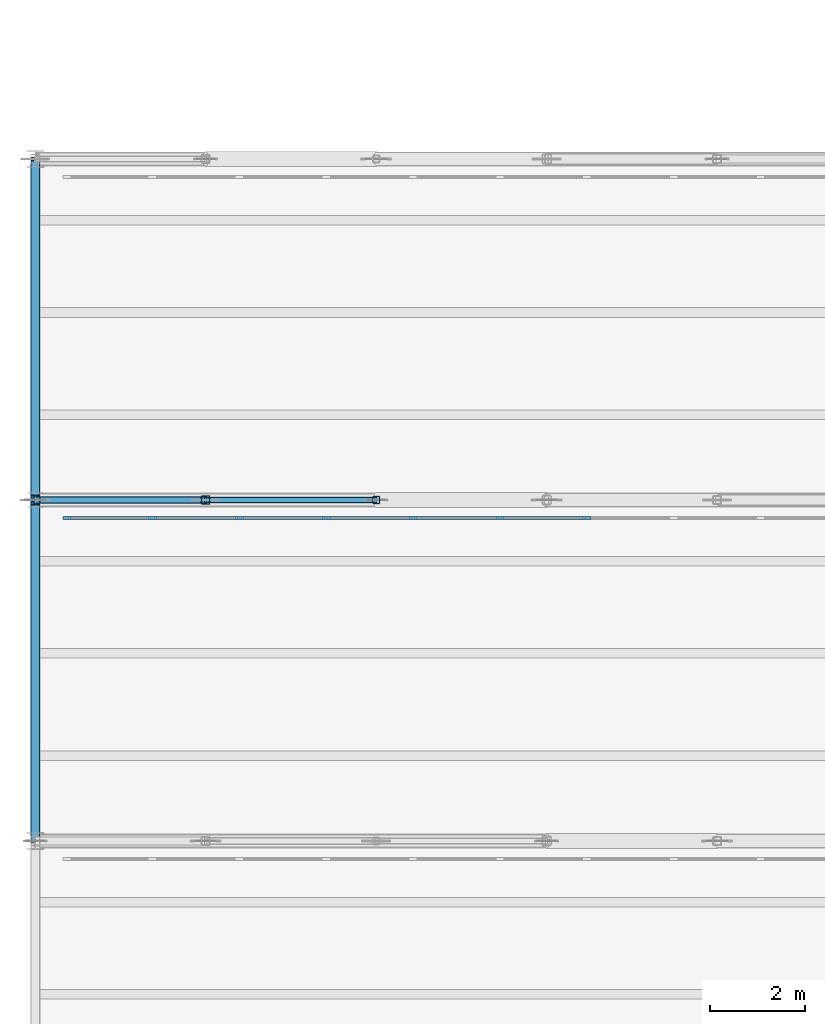
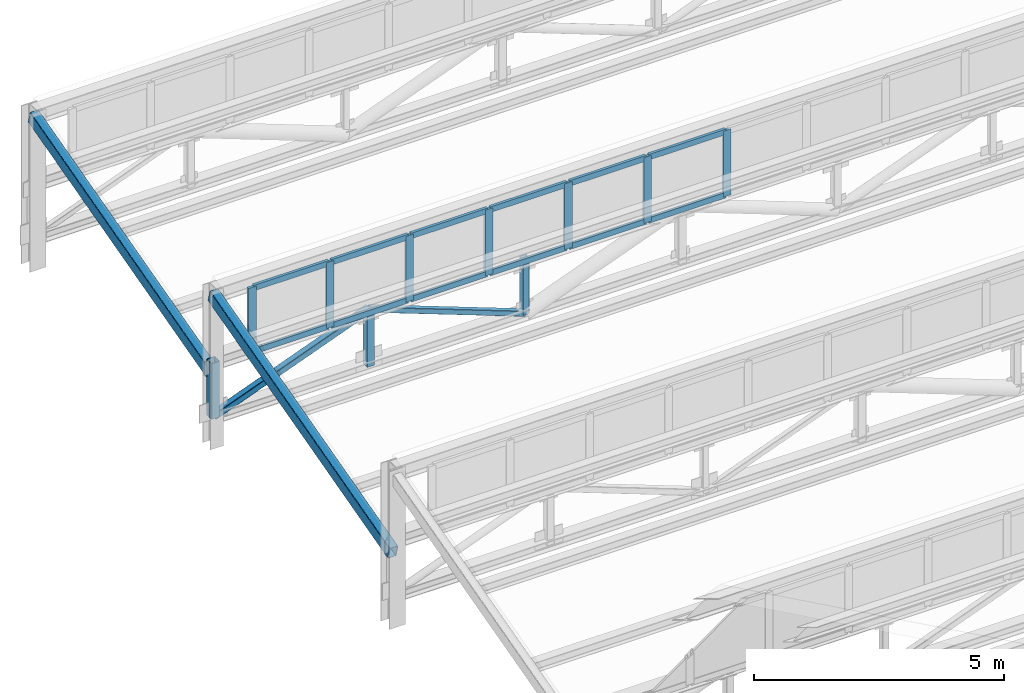
# One storey, part 28 of 98: 24 members, 2 beams, 1 element without a shape of its own.
"""IFC4 building model written with IfcOpenShell, lengths in metres."""

import ifcopenshell
import ifcopenshell.guid

model = None  # the IFC model being written
_history = None  # IfcOwnerHistory: only IFC2X3 demands one
_inside = {}  # id of a spatial element -> (the spatial element, [elements in it])
_under = {}  # id of a project, library or spatial element -> (it, [spatial elements below it])
_declared = {}  # id of a project -> (the project, [libraries it declares])
_typed = {}  # id of a type object -> (the type object, [elements of that type])
_made_of = {}  # id of a material, layer set ... -> (it, [elements and type objects made of it])


def new_model(schema):
    """Start an empty IFC model of exactly this schema.

    Asked for "IFC4X3", IfcOpenShell would pick the latest addendum, in which some entities
    have other attributes; the version numbers below select the first issue.
    IFC2X3 requires an IfcOwnerHistory on every rooted entity: one is made here for all.
    """
    global model, _history
    if schema == "IFC4X3":
        model = ifcopenshell.file(schema_version=(4, 3, 0, 0))
    else:
        model = ifcopenshell.file(schema=schema)
    _inside.clear()
    _under.clear()
    _declared.clear()
    _typed.clear()
    _made_of.clear()
    _history = None
    if model.schema == "IFC2X3":
        org = make("IfcOrganization", Name="unknown")
        user = make(
            "IfcPersonAndOrganization",
            ThePerson=make("IfcPerson", FamilyName="unknown"),
            TheOrganization=org,
        )
        app = make(
            "IfcApplication",
            ApplicationDeveloper=org,
            Version="unknown",
            ApplicationFullName="unknown",
            ApplicationIdentifier="unknown",
        )
        _history = make(
            "IfcOwnerHistory",
            OwningUser=user,
            OwningApplication=app,
            ChangeAction="ADDED",
            CreationDate=0,
        )
    return model


def make(cls, **values):
    """One entity of the class cls with the attributes given. An attribute that is None is left unset."""
    return model.create_entity(
        cls, **{name: value for name, value in values.items() if value is not None}
    )


def rooted(cls, **values):
    """An entity with a GlobalId (a new one), such as an element, a storey or a relation."""
    return make(cls, GlobalId=ifcopenshell.guid.new(), OwnerHistory=_history, **values)


def si_unit(unit_type, name, prefix=None):
    """IfcSIUnit, for example si_unit("LENGTHUNIT", "METRE", prefix="MILLI")."""
    return make("IfcSIUnit", UnitType=unit_type, Prefix=prefix, Name=name)


def assignment(units):
    """IfcUnitAssignment: the units of a project."""
    return None if units is None else make("IfcUnitAssignment", Units=units)


def point(xyz):
    """IfcCartesianPoint."""
    return None if xyz is None else make("IfcCartesianPoint", Coordinates=xyz)


def direction(xyz):
    """IfcDirection."""
    return None if xyz is None else make("IfcDirection", DirectionRatios=xyz)


def frame(location, z_axis=None, x_axis=None):
    """IfcAxis2Placement3D, a coordinate frame: its origin and axes. An axis left out is left unset."""
    return make(
        "IfcAxis2Placement3D",
        Location=point(location),
        Axis=direction(z_axis),
        RefDirection=direction(x_axis),
    )


def frame_2d(location, x_axis=None):
    """IfcAxis2Placement2D, a coordinate frame in the plane: its origin and x axis."""
    return make(
        "IfcAxis2Placement2D", Location=point(location), RefDirection=direction(x_axis)
    )


def origin():
    """The frame at (0, 0, 0) with its axes left unset."""
    return frame((0.0, 0.0, 0.0))


def origin_2d():
    """The frame at (0, 0) in the plane with its x axis left unset."""
    return frame_2d((0.0, 0.0))


def place(relative_to, where):
    """IfcLocalPlacement: puts the frame where relative to a parent placement (None: the world)."""
    return make(
        "IfcLocalPlacement", PlacementRelTo=relative_to, RelativePlacement=where
    )


def context(
    kind, dimensions, precision=None, world=None, true_north=None, identifier=None
):
    """IfcGeometricRepresentationContext, for example the 3D "Model" context."""
    return make(
        "IfcGeometricRepresentationContext",
        ContextIdentifier=identifier,
        ContextType=kind,
        CoordinateSpaceDimension=dimensions,
        Precision=precision,
        WorldCoordinateSystem=world,
        TrueNorth=true_north,
    )


def subcontext(parent, identifier, kind, view, scale=None):
    """IfcGeometricRepresentationSubContext, for example "Body" below "Model"."""
    return make(
        "IfcGeometricRepresentationSubContext",
        ContextIdentifier=identifier,
        ContextType=kind,
        ParentContext=parent,
        TargetScale=scale,
        TargetView=view,
    )


def project(units=None, contexts=None):
    """IfcProject with its units and contexts."""
    return rooted(
        "IfcProject",
        Name="project",
        RepresentationContexts=contexts,
        UnitsInContext=assignment(units),
    )


def spatial(cls, under=None, at=None, **own):
    """A site, building, storey or space (cls), placed at a placement, below another one or the project."""
    s = rooted(cls, ObjectPlacement=at, **own)
    if under is not None:
        _under.setdefault(under.id(), (under, []))[1].append(s)
    return s


def profile(cls, at=None, kind="AREA", **sizes):
    """A parametric profile (cls). Its sizes go by their IFC names, for example OverallWidth=200.0."""
    return make(cls, ProfileType=kind, Position=at, **sizes)


def rectangle(**sizes):
    """IfcRectangleProfileDef."""
    return profile("IfcRectangleProfileDef", **sizes)


def hollow_rectangle(**sizes):
    """IfcRectangleHollowProfileDef."""
    return profile("IfcRectangleHollowProfileDef", **sizes)


def extrude(swept, where, along, depth):
    """IfcExtrudedAreaSolid: the profile swept, set in the frame where, extruded along a direction by depth."""
    return make(
        "IfcExtrudedAreaSolid",
        SweptArea=swept,
        Position=where,
        ExtrudedDirection=direction(along),
        Depth=depth,
    )


def shape(context_of_items, identifier, shape_type, items):
    """IfcShapeRepresentation: the items that make up one representation, for example the "Body"."""
    return make(
        "IfcShapeRepresentation",
        ContextOfItems=context_of_items,
        RepresentationIdentifier=identifier,
        RepresentationType=shape_type,
        Items=items,
    )


def material(Name=None, Category=None):
    """IfcMaterial."""
    return make("IfcMaterial", Name=Name, Category=Category)


def layer(
    of_material, thickness, ventilated=None, Name=None, Category=None, Priority=None
):
    """IfcMaterialLayer: one layer of a wall or slab, of a material (None: an air gap)."""
    return make(
        "IfcMaterialLayer",
        Material=of_material,
        LayerThickness=thickness,
        IsVentilated=ventilated,
        Name=Name,
        Category=Category,
        Priority=Priority,
    )


def layer_set(layers, Name=None):
    """IfcMaterialLayerSet."""
    return make("IfcMaterialLayerSet", MaterialLayers=layers, LayerSetName=Name)


def material_profile(
    of_material, cross_section, Name=None, Category=None, Priority=None
):
    """IfcMaterialProfile: a cross section and its material."""
    return make(
        "IfcMaterialProfile",
        Name=Name,
        Material=of_material,
        Profile=cross_section,
        Priority=Priority,
        Category=Category,
    )


def profile_set(profiles, Name=None, composite=None):
    """IfcMaterialProfileSet."""
    return make(
        "IfcMaterialProfileSet",
        Name=Name,
        MaterialProfiles=profiles,
        CompositeProfile=composite,
    )


def made_of(thing, what):
    """Note that an element or type object is made of a material, layer set ...; save() writes the relation."""
    if what is not None:
        _made_of.setdefault(what.id(), (what, []))[1].append(thing)
    return thing


def type_object(cls, material=None, **own):
    """A type object (cls), such as IfcWallType, which elements share."""
    return made_of(rooted(cls, **own), material)


def element(
    cls,
    number,
    at=None,
    inside=None,
    cuts=None,
    type_object=None,
    material=None,
    context=None,
    identifier="Body",
    shape_type=None,
    held_by="IfcProductDefinitionShape",
    body=None,
    shapes=None,
    **own,
):
    """One element of the class cls, such as IfcWall. Its Tag is "e" and its number.

    at: its placement. inside: the storey or other place that contains it. cuts: it is an
    opening in that element (IfcRelVoidsElement). A single representation is given by context,
    identifier, shape_type and body (its items); several are given by shapes. held_by: the class
    of the entity that holds the representations. save() writes the other relations.
    """
    e = rooted(cls, Tag="e%d" % number, ObjectPlacement=at, **own)
    if body is not None:
        shapes = [shape(context, identifier, shape_type, body)]
    if shapes is not None:
        e.Representation = make(held_by, Representations=shapes)
    if inside is not None:
        _inside.setdefault(inside.id(), (inside, []))[1].append(e)
    if cuts is not None:
        rooted(
            "IfcRelVoidsElement", RelatingBuildingElement=cuts, RelatedOpeningElement=e
        )
    if type_object is not None:
        _typed.setdefault(type_object.id(), (type_object, []))[1].append(e)
    return made_of(e, material)


def aggregate(whole, parts):
    """IfcRelAggregates: a whole, such as a stair, and the parts it consists of."""
    return rooted("IfcRelAggregates", RelatingObject=whole, RelatedObjects=parts)


def save(model, path):
    """Write the relations noted so far, then the file.

    IfcRelAggregates (storeys below a building ...), IfcRelContainedInSpatialStructure (elements
    in a storey), IfcRelDefinesByType, IfcRelAssociatesMaterial and IfcRelDeclares: one each for
    every whole, place, type object, material and project.
    """
    for whole, parts in _under.values():
        aggregate(whole, parts)
    for where, things in _inside.values():
        rooted(
            "IfcRelContainedInSpatialStructure",
            RelatedElements=things,
            RelatingStructure=where,
        )
    for kind, things in _typed.values():
        rooted("IfcRelDefinesByType", RelatedObjects=things, RelatingType=kind)
    for what, things in _made_of.values():
        rooted("IfcRelAssociatesMaterial", RelatedObjects=things, RelatingMaterial=what)
    for by, libraries in _declared.values():
        rooted("IfcRelDeclares", RelatingContext=by, RelatedDefinitions=libraries)
    model.write(path)


model = new_model("IFC4")

# Units and contexts
model_context = context("Model", 3, precision=1e-05, world=origin(), true_north=direction((0.0, 1.0)))
body_context = subcontext(model_context, "Body", "Model", "MODEL_VIEW")
ifc_project = project(units=[si_unit("LENGTHUNIT", "METRE"), si_unit("AREAUNIT", "SQUARE_METRE"), si_unit("VOLUMEUNIT", "CUBIC_METRE"), si_unit("PLANEANGLEUNIT", "RADIAN"), si_unit("MASSUNIT", "GRAM", prefix="KILO")], contexts=[model_context])

# Site, building, storey
site_placement = place(None, origin())
site = spatial("IfcSite", under=ifc_project, at=site_placement, CompositionType="ELEMENT")
building_placement = place(site_placement, origin())
building = spatial("IfcBuilding", under=site, at=building_placement, Name="Solenvale Faculty of Natural Sciences", CompositionType="ELEMENT")
storey_placement = place(building_placement, frame((0.0, 0.0, 9.0)))
storey = spatial("IfcBuildingStorey", under=building, at=storey_placement, Name="L02", CompositionType="ELEMENT", Elevation=9.0)

# Beams
ifc_material_1 = material(Name="Steel S355", Category="steel")
ifc_material_profile_1 = material_profile(ifc_material_1, hollow_rectangle(XDim=0.202880859375, YDim=0.304931640625, WallThickness=0.0126953125, InnerFilletRadius=0.0126953125, OuterFilletRadius=0.025390625, at=origin_2d()), Name="HSS305x203x13")
ifc_profile_set_1 = profile_set([ifc_material_profile_1], Name="Steel S355")
beam_type = type_object("IfcBeamType", Name="BM-RAF-HSS305", PredefinedType="BEAM", material=ifc_profile_set_1)
for number, where, z_axis, x_axis, name in (
    (1, (0.0, 28.800048828125, 1.719970703125), (0.0, 0.965901991803, 0.258907980238), (-1.0, 0.0, 0.0), "V1 Sawtooth End Rafter 5.1.W"),
    (2, (0.0, 36.0, 1.719970703125), (0.0, 0.965901991803, 0.258907980238), (-1.0, 0.0, 0.0), "V1 Sawtooth End Rafter 6.1.W"),
):
    element("IfcBeam", number, at=place(storey_placement, frame(where, z_axis=z_axis, x_axis=x_axis)), inside=storey, type_object=beam_type, Name=name, PredefinedType="BEAM", context=body_context, shape_type="SweptSolid", body=[
        extrude(hollow_rectangle(XDim=0.202880859375, YDim=0.304931640625, WallThickness=0.0126953125, InnerFilletRadius=0.0126953125, OuterFilletRadius=0.025390625, at=origin_2d()), origin(), (0.0, 0.0, 1.0), 7.4541015625),
    ])

# Curtain wall, members
ifc_material_2 = material(Name="Anodised bronze aluminium", Category="aluminium")
ifc_layer = layer(ifc_material_2, 0.1650390625)
ifc_layer_set = layer_set([ifc_layer], Name="Anodised bronze aluminium")
curtain_wall_type = type_object("IfcCurtainWallType", Name="CW-SAW-CLR", PredefinedType="USERDEFINED", material=ifc_layer_set)
curtain_wall_placement = place(storey_placement, origin())
curtain_wall = element("IfcCurtainWall", 3, at=curtain_wall_placement, inside=storey, type_object=curtain_wall_type, Name="L02 Curtain Wall SAW-V1-CW-5-1", ObjectType="NORTH LIGHT CLERESTORY", PredefinedType="USERDEFINED")
ifc_material_profile_2 = material_profile(ifc_material_2, rectangle(XDim=0.06494140625, YDim=0.175048828125, at=origin_2d()), Name="ALU-MUL-65x175")
ifc_profile_set_2 = profile_set([ifc_material_profile_2], Name="Anodised bronze aluminium")
member_type_1 = type_object("IfcMemberType", Name="CWM-ALU-65x175", PredefinedType="MULLION", material=ifc_profile_set_2)
member_1_placement = place(storey_placement, frame((11.64794921875, 35.6201171875, 2.22998046875), z_axis=(0.0, 0.0, 1.0), x_axis=(0.0, -1.0, 0.0)))
member_1 = element("IfcMember", 4, at=member_1_placement, type_object=member_type_1, Name="CW-05 mullion 10", PredefinedType="MULLION", context=body_context, shape_type="SweptSolid", body=[
    extrude(rectangle(XDim=0.06494140625, YDim=0.175048828125, at=origin_2d()), origin(), (0.0, 0.0, 1.0), 1.610107421875),
])
member_2_placement = place(storey_placement, frame((9.813232421875, 35.6201171875, 2.22998046875), z_axis=(0.0, 0.0, 1.0), x_axis=(0.0, -1.0, 0.0)))
member_2 = element("IfcMember", 5, at=member_2_placement, type_object=member_type_1, Name="CW-05 mullion 11", PredefinedType="MULLION", context=body_context, shape_type="SweptSolid", body=[
    extrude(rectangle(XDim=0.06494140625, YDim=0.175048828125, at=origin_2d()), origin(), (0.0, 0.0, 1.0), 1.610107421875),
])
member_3_placement = place(storey_placement, frame((7.978759765625, 35.6201171875, 2.22998046875), z_axis=(0.0, 0.0, 1.0), x_axis=(0.0, -1.0, 0.0)))
member_3 = element("IfcMember", 6, at=member_3_placement, type_object=member_type_1, Name="CW-05 mullion 12", PredefinedType="MULLION", context=body_context, shape_type="SweptSolid", body=[
    extrude(rectangle(XDim=0.06494140625, YDim=0.175048828125, at=origin_2d()), origin(), (0.0, 0.0, 1.0), 1.610107421875),
])
member_4_placement = place(storey_placement, frame((6.14404296875, 35.6201171875, 2.22998046875), z_axis=(0.0, 0.0, 1.0), x_axis=(0.0, -1.0, 0.0)))
member_4 = element("IfcMember", 7, at=member_4_placement, type_object=member_type_1, Name="CW-05 mullion 13", PredefinedType="MULLION", context=body_context, shape_type="SweptSolid", body=[
    extrude(rectangle(XDim=0.06494140625, YDim=0.175048828125, at=origin_2d()), origin(), (0.0, 0.0, 1.0), 1.610107421875),
])
member_5_placement = place(storey_placement, frame((4.309326171875, 35.6201171875, 2.22998046875), z_axis=(0.0, 0.0, 1.0), x_axis=(0.0, -1.0, 0.0)))
member_5 = element("IfcMember", 8, at=member_5_placement, type_object=member_type_1, Name="CW-05 mullion 14", PredefinedType="MULLION", context=body_context, shape_type="SweptSolid", body=[
    extrude(rectangle(XDim=0.06494140625, YDim=0.175048828125, at=origin_2d()), origin(), (0.0, 0.0, 1.0), 1.610107421875),
])
member_6_placement = place(storey_placement, frame((2.474609375, 35.6201171875, 2.22998046875), z_axis=(0.0, 0.0, 1.0), x_axis=(0.0, -1.0, 0.0)))
member_6 = element("IfcMember", 9, at=member_6_placement, type_object=member_type_1, Name="CW-05 mullion 15", PredefinedType="MULLION", context=body_context, shape_type="SweptSolid", body=[
    extrude(rectangle(XDim=0.06494140625, YDim=0.175048828125, at=origin_2d()), origin(), (0.0, 0.0, 1.0), 1.610107421875),
])
member_7_placement = place(storey_placement, frame((0.672607421875, 35.6201171875, 2.22998046875), z_axis=(0.0, 0.0, 1.0), x_axis=(0.0, -1.0, 0.0)))
member_7 = element("IfcMember", 10, at=member_7_placement, type_object=member_type_1, Name="CW-05 mullion 16", PredefinedType="MULLION", context=body_context, shape_type="SweptSolid", body=[
    extrude(rectangle(XDim=0.06494140625, YDim=0.175048828125, at=origin_2d()), origin(), (0.0, 0.0, 1.0), 1.610107421875),
])
ifc_material_profile_3 = material_profile(ifc_material_2, rectangle(XDim=0.06494140625, YDim=0.135009765625, at=origin_2d()), Name="ALU-TRN-65x135")
ifc_profile_set_3 = profile_set([ifc_material_profile_3], Name="Anodised bronze aluminium")
member_type_2 = type_object("IfcMemberType", Name="CWT-ALU-65x135", PredefinedType="USERDEFINED", material=ifc_profile_set_3)
member_8_placement = place(storey_placement, frame((11.615478515625, 35.6201171875, 2.262451171875), z_axis=(-1.0, 0.0, 0.0), x_axis=(0.0, -1.0, 0.0)))
member_8 = element("IfcMember", 11, at=member_8_placement, type_object=member_type_2, Name="CW-05 transom 10.1", ObjectType="TRANSOM", PredefinedType="USERDEFINED", context=body_context, shape_type="SweptSolid", body=[
    extrude(rectangle(XDim=0.06494140625, YDim=0.135009765625, at=origin_2d()), origin(), (0.0, 0.0, 1.0), 1.76953125),
])
member_9_placement = place(storey_placement, frame((11.615478515625, 35.6201171875, 3.8076171875), z_axis=(-1.0, 0.0, 0.0), x_axis=(0.0, -1.0, 0.0)))
member_9 = element("IfcMember", 12, at=member_9_placement, type_object=member_type_2, Name="CW-05 transom 10.2", ObjectType="TRANSOM", PredefinedType="USERDEFINED", context=body_context, shape_type="SweptSolid", body=[
    extrude(rectangle(XDim=0.06494140625, YDim=0.135009765625, at=origin_2d()), origin(), (0.0, 0.0, 1.0), 1.76953125),
])
member_10_placement = place(storey_placement, frame((9.78076171875, 35.6201171875, 2.262451171875), z_axis=(-1.0, 0.0, 0.0), x_axis=(0.0, -1.0, 0.0)))
member_10 = element("IfcMember", 13, at=member_10_placement, type_object=member_type_2, Name="CW-05 transom 11.1", ObjectType="TRANSOM", PredefinedType="USERDEFINED", context=body_context, shape_type="SweptSolid", body=[
    extrude(rectangle(XDim=0.06494140625, YDim=0.135009765625, at=origin_2d()), origin(), (0.0, 0.0, 1.0), 1.76953125),
])
member_11_placement = place(storey_placement, frame((9.78076171875, 35.6201171875, 3.8076171875), z_axis=(-1.0, 0.0, 0.0), x_axis=(0.0, -1.0, 0.0)))
member_11 = element("IfcMember", 14, at=member_11_placement, type_object=member_type_2, Name="CW-05 transom 11.2", ObjectType="TRANSOM", PredefinedType="USERDEFINED", context=body_context, shape_type="SweptSolid", body=[
    extrude(rectangle(XDim=0.06494140625, YDim=0.135009765625, at=origin_2d()), origin(), (0.0, 0.0, 1.0), 1.76953125),
])
member_12_placement = place(storey_placement, frame((7.946044921875, 35.6201171875, 2.262451171875), z_axis=(-1.0, 0.0, 0.0), x_axis=(0.0, -1.0, 0.0)))
member_12 = element("IfcMember", 15, at=member_12_placement, type_object=member_type_2, Name="CW-05 transom 12.1", ObjectType="TRANSOM", PredefinedType="USERDEFINED", context=body_context, shape_type="SweptSolid", body=[
    extrude(rectangle(XDim=0.06494140625, YDim=0.135009765625, at=origin_2d()), origin(), (0.0, 0.0, 1.0), 1.76953125),
])
member_13_placement = place(storey_placement, frame((7.946044921875, 35.6201171875, 3.8076171875), z_axis=(-1.0, 0.0, 0.0), x_axis=(0.0, -1.0, 0.0)))
member_13 = element("IfcMember", 16, at=member_13_placement, type_object=member_type_2, Name="CW-05 transom 12.2", ObjectType="TRANSOM", PredefinedType="USERDEFINED", context=body_context, shape_type="SweptSolid", body=[
    extrude(rectangle(XDim=0.06494140625, YDim=0.135009765625, at=origin_2d()), origin(), (0.0, 0.0, 1.0), 1.76953125),
])
member_14_placement = place(storey_placement, frame((6.111572265625, 35.6201171875, 2.262451171875), z_axis=(-1.0, 0.0, 0.0), x_axis=(0.0, -1.0, 0.0)))
member_14 = element("IfcMember", 17, at=member_14_placement, type_object=member_type_2, Name="CW-05 transom 13.1", ObjectType="TRANSOM", PredefinedType="USERDEFINED", context=body_context, shape_type="SweptSolid", body=[
    extrude(rectangle(XDim=0.06494140625, YDim=0.135009765625, at=origin_2d()), origin(), (0.0, 0.0, 1.0), 1.769775390625),
])
member_15_placement = place(storey_placement, frame((6.111572265625, 35.6201171875, 3.8076171875), z_axis=(-1.0, 0.0, 0.0), x_axis=(0.0, -1.0, 0.0)))
member_15 = element("IfcMember", 18, at=member_15_placement, type_object=member_type_2, Name="CW-05 transom 13.2", ObjectType="TRANSOM", PredefinedType="USERDEFINED", context=body_context, shape_type="SweptSolid", body=[
    extrude(rectangle(XDim=0.06494140625, YDim=0.135009765625, at=origin_2d()), origin(), (0.0, 0.0, 1.0), 1.769775390625),
])
member_16_placement = place(storey_placement, frame((4.27685546875, 35.6201171875, 2.262451171875), z_axis=(-1.0, 0.0, 0.0), x_axis=(0.0, -1.0, 0.0)))
member_16 = element("IfcMember", 19, at=member_16_placement, type_object=member_type_2, Name="CW-05 transom 14.1", ObjectType="TRANSOM", PredefinedType="USERDEFINED", context=body_context, shape_type="SweptSolid", body=[
    extrude(rectangle(XDim=0.06494140625, YDim=0.135009765625, at=origin_2d()), origin(), (0.0, 0.0, 1.0), 1.769775390625),
])
member_17_placement = place(storey_placement, frame((4.27685546875, 35.6201171875, 3.8076171875), z_axis=(-1.0, 0.0, 0.0), x_axis=(0.0, -1.0, 0.0)))
member_17 = element("IfcMember", 20, at=member_17_placement, type_object=member_type_2, Name="CW-05 transom 14.2", ObjectType="TRANSOM", PredefinedType="USERDEFINED", context=body_context, shape_type="SweptSolid", body=[
    extrude(rectangle(XDim=0.06494140625, YDim=0.135009765625, at=origin_2d()), origin(), (0.0, 0.0, 1.0), 1.769775390625),
])
member_18_placement = place(storey_placement, frame((2.442138671875, 35.6201171875, 2.262451171875), z_axis=(-1.0, 0.0, 0.0), x_axis=(0.0, -1.0, 0.0)))
member_18 = element("IfcMember", 21, at=member_18_placement, type_object=member_type_2, Name="CW-05 transom 15.1", ObjectType="TRANSOM", PredefinedType="USERDEFINED", context=body_context, shape_type="SweptSolid", body=[
    extrude(rectangle(XDim=0.06494140625, YDim=0.135009765625, at=origin_2d()), origin(), (0.0, 0.0, 1.0), 1.737060546875),
])
member_19_placement = place(storey_placement, frame((2.442138671875, 35.6201171875, 3.8076171875), z_axis=(-1.0, 0.0, 0.0), x_axis=(0.0, -1.0, 0.0)))
member_19 = element("IfcMember", 22, at=member_19_placement, type_object=member_type_2, Name="CW-05 transom 15.2", ObjectType="TRANSOM", PredefinedType="USERDEFINED", context=body_context, shape_type="SweptSolid", body=[
    extrude(rectangle(XDim=0.06494140625, YDim=0.135009765625, at=origin_2d()), origin(), (0.0, 0.0, 1.0), 1.737060546875),
])
aggregate(curtain_wall, [member_1, member_2, member_3, member_4, member_5, member_6, member_7, member_8, member_9, member_10, member_11, member_12, member_13, member_14, member_15, member_16, member_17, member_18, member_19])

# Members
ifc_material_profile_4 = material_profile(ifc_material_1, hollow_rectangle(XDim=0.126953125, YDim=0.126953125, WallThickness=0.008056640625, InnerFilletRadius=0.008056640625, OuterFilletRadius=0.01611328125, at=origin_2d()), Name="HSS127x127x8.0")
ifc_profile_set_4 = profile_set([ifc_material_profile_4], Name="Steel S355")
member_type_3 = type_object("IfcMemberType", Name="MB-BRC-HSS127", PredefinedType="BRACE", material=ifc_profile_set_4)
member_20_placement = place(storey_placement, frame((3.60009765625, 36.0, 2.050048828125), z_axis=(0.935458110384, 0.0, -0.353437581075), x_axis=(0.0, 1.0, 0.0)))
element("IfcMember", 23, at=member_20_placement, inside=storey, type_object=member_type_3, Name="V1 Truss 5.1 Diagonal 2", PredefinedType="BRACE", context=body_context, shape_type="SweptSolid", body=[
    extrude(hollow_rectangle(XDim=0.126953125, YDim=0.126953125, WallThickness=0.008056640625, InnerFilletRadius=0.008056640625, OuterFilletRadius=0.01611328125, at=origin_2d()), origin(), (0.0, 0.0, 1.0), 3.84814453125),
])
ifc_material_profile_5 = material_profile(ifc_material_1, hollow_rectangle(XDim=0.152099609375, YDim=0.152099609375, WallThickness=0.009521484375, InnerFilletRadius=0.009521484375, OuterFilletRadius=0.01904296875, at=origin_2d()), Name="HSS152x152x9.5")
ifc_profile_set_5 = profile_set([ifc_material_profile_5], Name="Steel S355")
member_type_4 = type_object("IfcMemberType", Name="MB-BRC-HSS152", PredefinedType="BRACE", material=ifc_profile_set_5)
member_21_placement = place(storey_placement, frame((0.0, 36.0, 0.68994140625), z_axis=(0.935466034784, 0.0, 0.353416606522), x_axis=(0.0, 1.0, 0.0)))
element("IfcMember", 24, at=member_21_placement, inside=storey, type_object=member_type_4, Name="V1 Truss 5.1 Diagonal 1", PredefinedType="BRACE", context=body_context, shape_type="SweptSolid", body=[
    extrude(hollow_rectangle(XDim=0.152099609375, YDim=0.152099609375, WallThickness=0.009521484375, InnerFilletRadius=0.009521484375, OuterFilletRadius=0.01904296875, at=origin_2d()), origin(), (0.0, 0.0, 1.0), 3.848388671875),
])
ifc_material_profile_6 = material_profile(ifc_material_1, hollow_rectangle(XDim=0.152099609375, YDim=0.152099609375, WallThickness=0.009521484375, InnerFilletRadius=0.009521484375, OuterFilletRadius=0.01904296875, at=origin_2d()), Name="HSS152x152x9.5")
ifc_profile_set_6 = profile_set([ifc_material_profile_6], Name="Steel S355")
member_type_5 = type_object("IfcMemberType", Name="MB-STR-HSS152", PredefinedType="STRUT", material=ifc_profile_set_6)
member_22_placement = place(storey_placement, frame((7.199951171875, 36.0, 0.68994140625), z_axis=(0.0, 0.0, 1.0), x_axis=(1.0, 0.0, 0.0)))
element("IfcMember", 25, at=member_22_placement, inside=storey, type_object=member_type_5, Name="V1 Truss 5.1 Strut 2", PredefinedType="STRUT", context=body_context, shape_type="SweptSolid", body=[
    extrude(hollow_rectangle(XDim=0.152099609375, YDim=0.152099609375, WallThickness=0.009521484375, InnerFilletRadius=0.009521484375, OuterFilletRadius=0.01904296875, at=origin_2d()), origin(), (0.0, 0.0, 1.0), 1.360107421875),
])
ifc_material_profile_7 = material_profile(ifc_material_1, hollow_rectangle(XDim=0.177978515625, YDim=0.177978515625, WallThickness=0.009521484375, InnerFilletRadius=0.009521484375, OuterFilletRadius=0.01904296875, at=origin_2d()), Name="HSS178x178x9.5")
ifc_profile_set_7 = profile_set([ifc_material_profile_7], Name="Steel S355")
member_type_6 = type_object("IfcMemberType", Name="MB-STR-HSS178", PredefinedType="STRUT", material=ifc_profile_set_7)
member_23_placement = place(storey_placement, frame((3.60009765625, 36.0, 0.68994140625), z_axis=(0.0, 0.0, 1.0), x_axis=(1.0, 0.0, 0.0)))
element("IfcMember", 26, at=member_23_placement, inside=storey, type_object=member_type_6, Name="V1 Truss 5.1 Strut 1", PredefinedType="STRUT", context=body_context, shape_type="SweptSolid", body=[
    extrude(hollow_rectangle(XDim=0.177978515625, YDim=0.177978515625, WallThickness=0.009521484375, InnerFilletRadius=0.009521484375, OuterFilletRadius=0.01904296875, at=origin_2d()), origin(), (0.0, 0.0, 1.0), 1.360107421875),
])
ifc_material_profile_8 = material_profile(ifc_material_1, hollow_rectangle(XDim=0.202880859375, YDim=0.202880859375, WallThickness=0.0126953125, InnerFilletRadius=0.0126953125, OuterFilletRadius=0.025390625, at=origin_2d()), Name="HSS203x203x13")
ifc_profile_set_8 = profile_set([ifc_material_profile_8], Name="Steel S355")
member_type_7 = type_object("IfcMemberType", Name="MB-STR-HSS203", PredefinedType="STRUT", material=ifc_profile_set_8)
member_24_placement = place(storey_placement, frame((0.0, 36.0, 0.68994140625), z_axis=(0.0, 0.0, 1.0), x_axis=(1.0, 0.0, 0.0)))
element("IfcMember", 27, at=member_24_placement, inside=storey, type_object=member_type_7, Name="V1 Truss 5.1 Strut 0", PredefinedType="STRUT", context=body_context, shape_type="SweptSolid", body=[
    extrude(hollow_rectangle(XDim=0.202880859375, YDim=0.202880859375, WallThickness=0.0126953125, InnerFilletRadius=0.0126953125, OuterFilletRadius=0.025390625, at=origin_2d()), origin(), (0.0, 0.0, 1.0), 1.360107421875),
])

save(model, "model.ifc")
